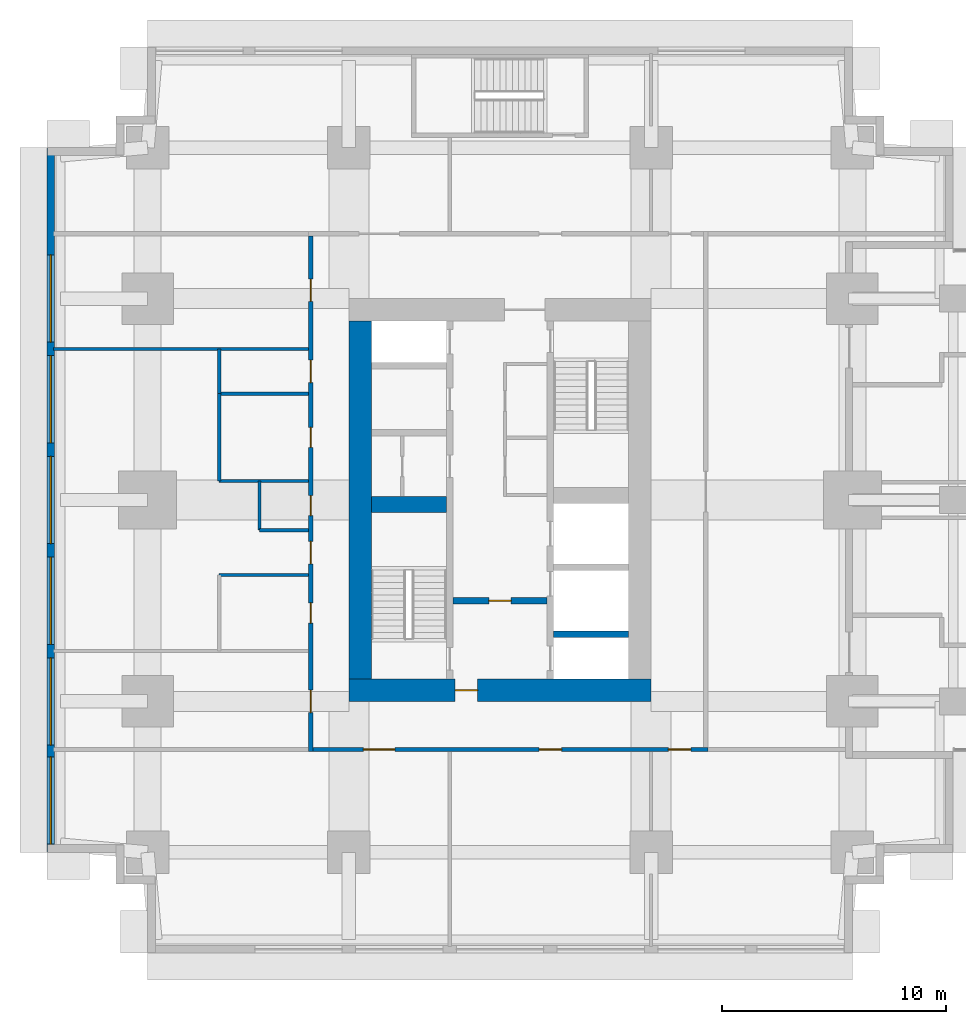
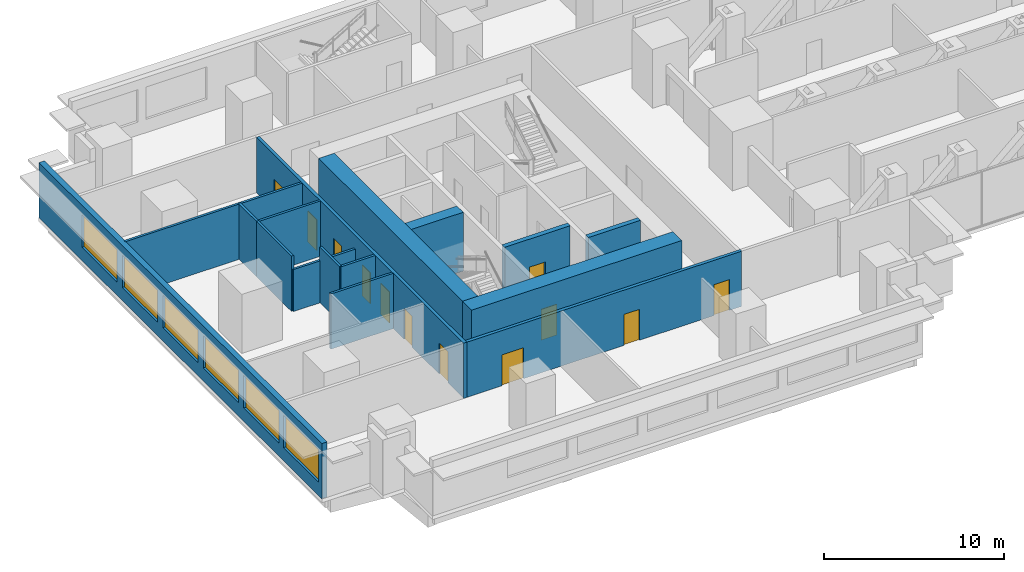
# One storey, part 7 of 16: 16 walls, 12 doors, 6 windows, 18 openings.
"""IFC4 building model written with IfcOpenShell, lengths in metres."""

from ifc_helpers import new_model, si_unit, direction, frame, frame_2d, origin, place, context, subcontext, project, spatial, rectangle, extrude, material, layer, layer_set, type_object, element, fill, save


model = new_model("IFC4")

# Units and contexts
model_context = context("Model", 3, precision=1e-05, world=origin(), true_north=direction((0.0, 1.0)))
body_context = subcontext(model_context, "Body", "Model", "MODEL_VIEW")
ifc_project = project(units=[si_unit("LENGTHUNIT", "METRE"), si_unit("AREAUNIT", "SQUARE_METRE"), si_unit("VOLUMEUNIT", "CUBIC_METRE"), si_unit("PLANEANGLEUNIT", "RADIAN"), si_unit("MASSUNIT", "GRAM", prefix="KILO")], contexts=[model_context])

# Site, building, storey
site_placement = place(None, origin())
site = spatial("IfcSite", under=ifc_project, at=site_placement, CompositionType="ELEMENT")
building_placement = place(site_placement, origin())
building = spatial("IfcBuilding", under=site, at=building_placement, Name="Namib Vertical Campus", CompositionType="ELEMENT")
storey_placement = place(building_placement, frame((0.0, 0.0, 117.0)))
storey = spatial("IfcBuildingStorey", under=building, at=storey_placement, Name="L27", CompositionType="ELEMENT", Elevation=117.0)

# Wall, opening, door
ifc_material_1 = material(Name="Concrete C60/75", Category="concrete")
ifc_layer_1 = layer(ifc_material_1, 0.300048828125)
ifc_layer_set_1 = layer_set([ifc_layer_1], Name="Concrete C60/75")
wall_type_1 = type_object("IfcWallType", Name="Core inner wall 300", PredefinedType="SHEAR", material=ifc_layer_set_1)
wall_1_placement = place(storey_placement, frame((18.14990234375, 15.75, 0.0), z_axis=(0.0, 0.0, 1.0), x_axis=(1.0, 0.0, 0.0)))
wall_1 = element("IfcWall", 1, at=wall_1_placement, inside=storey, type_object=wall_type_1, Name="Core inner wall A L27 W4", PredefinedType="SHEAR", context=body_context, shape_type="SweptSolid", body=[
    extrude(rectangle(XDim=4.2001953125, YDim=0.300048828125, at=frame_2d((2.10009765625, 0.0))), origin(), (0.0, 0.0, 1.0), 4.0),
])
opening_1_placement = place(wall_1_placement, frame((1.60009765625, 0.0, 0.0)))
opening_1 = element("IfcOpeningElement", 2, at=opening_1_placement, cuts=wall_1, Name="Opening FD5", PredefinedType="OPENING", context=body_context, shape_type="SweptSolid", body=[
    extrude(rectangle(XDim=1.0, YDim=2.10009765625, at=frame_2d((0.5, 1.050048828125))), frame((0.0, 0.159912109375, 0.0), z_axis=(0.0, -1.0, 0.0), x_axis=(1.0, 0.0, 0.0)), (0.0, 0.0, 1.0), 0.320068359375),
])
ifc_material_2 = material(Name="Steel fire door", Category="steel")
door_type_1 = type_object("IfcDoorType", Name="Fire door 1000x2100 120 min", OperationType="SINGLE_SWING_RIGHT", PredefinedType="DOOR", material=ifc_material_2)
door_1_placement = place(opening_1_placement, frame((1.0, 0.0, 0.0), z_axis=(0.0, 0.0, 1.0), x_axis=(-1.0, 0.0, 0.0)))
door_1 = element("IfcDoor", 3, at=door_1_placement, inside=storey, type_object=door_type_1, Name="Lobby door FD5 A L27", OperationType="SINGLE_SWING_RIGHT", OverallHeight=2.10009765625, OverallWidth=1.0, PredefinedType="DOOR", context=body_context, shape_type="SweptSolid", body=[
    extrude(rectangle(XDim=1.0, YDim=2.10009765625, at=frame_2d((0.5, 1.050048828125))), frame((0.0, 0.02490234375, 0.0), z_axis=(0.0, -1.0, 0.0), x_axis=(1.0, 0.0, 0.0)), (0.0, 0.0, 1.0), 0.050048828125),
])
fill(opening_1, door_1)

# Walls
wall_2_placement = place(storey_placement, frame((22.64990234375, 14.25, 0.0), z_axis=(0.0, 0.0, 1.0), x_axis=(1.0, 0.0, 0.0)))
element("IfcWall", 4, at=wall_2_placement, inside=storey, type_object=wall_type_1, Name="Core inner wall A L27 W5", PredefinedType="SHEAR", context=body_context, shape_type="SweptSolid", body=[
    extrude(rectangle(XDim=3.35009765625, YDim=0.300048828125, at=frame_2d((1.675048828125, 0.0))), origin(), (0.0, 0.0, 1.0), 4.0),
])
ifc_material_3 = material(Name="Concrete C60/75", Category="concrete")
ifc_layer_2 = layer(ifc_material_3, 0.699951171875)
ifc_layer_set_2 = layer_set([ifc_layer_2], Name="Concrete C60/75")
wall_type_2 = type_object("IfcWallType", Name="Core shear wall 700", PredefinedType="SHEAR", material=ifc_layer_set_2)
wall_3_placement = place(storey_placement, frame((14.5, 20.050048828125, 0.0), z_axis=(0.0, 0.0, 1.0), x_axis=(1.0, 0.0, 0.0)))
element("IfcWall", 5, at=wall_3_placement, inside=storey, type_object=wall_type_2, Name="Core shear wall A L27 W3", PredefinedType="SHEAR", context=body_context, shape_type="SweptSolid", body=[
    extrude(rectangle(XDim=3.35009765625, YDim=0.699951171875, at=frame_2d((1.675048828125, 0.0))), origin(), (0.0, 0.0, 1.0), 4.0),
])

# Wall, opening, door
ifc_material_4 = material(Name="Concrete C60/75", Category="concrete")
ifc_layer_3 = layer(ifc_material_4, 1.0)
ifc_layer_set_3 = layer_set([ifc_layer_3], Name="Concrete C60/75")
wall_type_3 = type_object("IfcWallType", Name="Core wall 1000", PredefinedType="SHEAR", material=ifc_layer_set_3)
wall_4_placement = place(storey_placement, frame((13.5, 11.75, 0.0), z_axis=(0.0, 0.0, 1.0), x_axis=(1.0, 0.0, 0.0)))
wall_4 = element("IfcWall", 6, at=wall_4_placement, inside=storey, type_object=wall_type_3, Name="Core wall A L27 1", PredefinedType="SHEAR", context=body_context, shape_type="SweptSolid", body=[
    extrude(rectangle(XDim=13.5, YDim=1.0, at=frame_2d((6.75, 0.0))), origin(), (0.0, 0.0, 1.0), 4.0),
])
opening_2_placement = place(wall_4_placement, frame((4.75, 0.0, 0.0)))
opening_2 = element("IfcOpeningElement", 7, at=opening_2_placement, cuts=wall_4, Name="Opening FD5", PredefinedType="OPENING", context=body_context, shape_type="SweptSolid", body=[
    extrude(rectangle(XDim=1.0, YDim=2.10009765625, at=frame_2d((0.5, 1.050048828125))), frame((0.0, 0.510009765625, 0.0), z_axis=(0.0, -1.0, 0.0), x_axis=(1.0, 0.0, 0.0)), (0.0, 0.0, 1.0), 1.02001953125),
])
door_2_placement = place(opening_2_placement, origin())
door_2 = element("IfcDoor", 8, at=door_2_placement, inside=storey, type_object=door_type_1, Name="Firefighting lobby door FD5 A L27", OperationType="SINGLE_SWING_LEFT", OverallHeight=2.10009765625, OverallWidth=1.0, PredefinedType="DOOR", context=body_context, shape_type="SweptSolid", body=[
    extrude(rectangle(XDim=1.0, YDim=2.10009765625, at=frame_2d((0.5, 1.050048828125))), frame((0.0, 0.02490234375, 0.0), z_axis=(0.0, -1.0, 0.0), x_axis=(1.0, 0.0, 0.0)), (0.0, 0.0, 1.0), 0.050048828125),
])
fill(opening_2, door_2)

# Wall
wall_5_placement = place(storey_placement, frame((14.0, 28.25, 0.0), z_axis=(0.0, 0.0, 1.0), x_axis=(0.0, -1.0, 0.0)))
element("IfcWall", 9, at=wall_5_placement, inside=storey, type_object=wall_type_3, Name="Core wall A L27 4", PredefinedType="SHEAR", context=body_context, shape_type="SweptSolid", body=[
    extrude(rectangle(XDim=16.0, YDim=1.0, at=frame_2d((8.0, 0.0))), origin(), (0.0, 0.0, 1.0), 4.0),
])

# Wall, openings, doors
ifc_material_5 = material(Name="Concrete masonry", Category="masonry")
ifc_layer_4 = layer(ifc_material_5, 0.199951171875)
ifc_layer_set_4 = layer_set([ifc_layer_4], Name="Corridor wall 200")
wall_type_4 = type_object("IfcWallType", Name="Corridor wall 200", PredefinedType="SOLIDWALL", material=ifc_layer_set_4)
wall_6_placement = place(storey_placement, frame((11.89990234375, 9.10009765625, 0.0), z_axis=(0.0, 0.0, 1.0), x_axis=(1.0, 0.0, 0.0)))
wall_6 = element("IfcWall", 10, at=wall_6_placement, inside=storey, type_object=wall_type_4, Name="Corridor wall A L27 CS", PredefinedType="SOLIDWALL", context=body_context, shape_type="SweptSolid", body=[
    extrude(rectangle(XDim=17.650146484375, YDim=0.199951171875, at=frame_2d((8.8251953125, 0.0))), origin(), (0.0, 0.0, 1.0), 3.75),
])
opening_3_placement = place(wall_6_placement, frame((2.25, 0.0, 0.0)))
opening_3 = element("IfcOpeningElement", 11, at=opening_3_placement, cuts=wall_6, Name="Opening LB1", PredefinedType="OPENING", context=body_context, shape_type="SweptSolid", body=[
    extrude(rectangle(XDim=1.39990234375, YDim=2.10009765625, at=frame_2d((0.699951171875, 1.050048828125))), frame((0.0, 0.10986328125, 0.0), z_axis=(0.0, -1.0, 0.0), x_axis=(1.0, 0.0, 0.0)), (0.0, 0.0, 1.0), 0.219970703125),
])
opening_4_placement = place(wall_6_placement, frame((10.10009765625, 0.0, 0.0)))
opening_4 = element("IfcOpeningElement", 12, at=opening_4_placement, cuts=wall_6, Name="Opening CD1", PredefinedType="OPENING", context=body_context, shape_type="SweptSolid", body=[
    extrude(rectangle(XDim=1.0, YDim=2.10009765625, at=frame_2d((0.5, 1.050048828125))), frame((0.0, 0.10986328125, 0.0), z_axis=(0.0, -1.0, 0.0), x_axis=(1.0, 0.0, 0.0)), (0.0, 0.0, 1.0), 0.219970703125),
])
opening_5_placement = place(wall_6_placement, frame((15.875, 0.0, 0.0)))
opening_5 = element("IfcOpeningElement", 13, at=opening_5_placement, cuts=wall_6, Name="Opening CD1", PredefinedType="OPENING", context=body_context, shape_type="SweptSolid", body=[
    extrude(rectangle(XDim=1.0, YDim=2.10009765625, at=frame_2d((0.5, 1.050048828125))), frame((0.0, 0.10986328125, 0.0), z_axis=(0.0, -1.0, 0.0), x_axis=(1.0, 0.0, 0.0)), (0.0, 0.0, 1.0), 0.219970703125),
])
ifc_material_6 = material(Name="Timber fire door leaf", Category="wood")
door_type_2 = type_object("IfcDoorType", Name="Corridor door 1000x2100 20 min", OperationType="SINGLE_SWING_LEFT", PredefinedType="DOOR", material=ifc_material_6)
door_3_placement = place(opening_4_placement, frame((1.0, 0.0, 0.0), z_axis=(0.0, 0.0, 1.0), x_axis=(-1.0, 0.0, 0.0)))
door_3 = element("IfcDoor", 14, at=door_3_placement, inside=storey, type_object=door_type_2, Name="Door CD1 A27-02", OperationType="SINGLE_SWING_RIGHT", OverallHeight=2.10009765625, OverallWidth=1.0, PredefinedType="DOOR", context=body_context, shape_type="SweptSolid", body=[
    extrude(rectangle(XDim=1.0, YDim=2.10009765625, at=frame_2d((0.5, 1.050048828125))), frame((0.0, 0.02490234375, 0.0), z_axis=(0.0, -1.0, 0.0), x_axis=(1.0, 0.0, 0.0)), (0.0, 0.0, 1.0), 0.050048828125),
])
fill(opening_4, door_3)
door_4_placement = place(opening_5_placement, frame((1.0, 0.0, 0.0), z_axis=(0.0, 0.0, 1.0), x_axis=(-1.0, 0.0, 0.0)))
door_4 = element("IfcDoor", 15, at=door_4_placement, inside=storey, type_object=door_type_2, Name="Door CD1 A27-03", OperationType="SINGLE_SWING_RIGHT", OverallHeight=2.10009765625, OverallWidth=1.0, PredefinedType="DOOR", context=body_context, shape_type="SweptSolid", body=[
    extrude(rectangle(XDim=1.0, YDim=2.10009765625, at=frame_2d((0.5, 1.050048828125))), frame((0.0, 0.02490234375, 0.0), z_axis=(0.0, -1.0, 0.0), x_axis=(1.0, 0.0, 0.0)), (0.0, 0.0, 1.0), 0.050048828125),
])
fill(opening_5, door_4)
ifc_material_7 = material(Name="Timber fire door leaf", Category="wood")
door_type_3 = type_object("IfcDoorType", Name="Laboratory door 1400x2100 leaf and a half", OperationType="DOUBLE_DOOR_SINGLE_SWING", PredefinedType="DOOR", material=ifc_material_7)
door_5_placement = place(opening_3_placement, frame((1.39990234375, 0.0, 0.0), z_axis=(0.0, 0.0, 1.0), x_axis=(-1.0, 0.0, 0.0)))
door_5 = element("IfcDoor", 16, at=door_5_placement, inside=storey, type_object=door_type_3, Name="Door LB1 A27-01", OperationType="DOUBLE_DOOR_SINGLE_SWING", OverallHeight=2.10009765625, OverallWidth=1.39990234375, PredefinedType="DOOR", context=body_context, shape_type="SweptSolid", body=[
    extrude(rectangle(XDim=1.39990234375, YDim=2.10009765625, at=frame_2d((0.699951171875, 1.050048828125))), frame((0.0, 0.02490234375, 0.0), z_axis=(0.0, -1.0, 0.0), x_axis=(1.0, 0.0, 0.0)), (0.0, 0.0, 1.0), 0.050048828125),
])
fill(opening_3, door_5)

wall_7_placement = place(storey_placement, frame((11.800048828125, 32.050048828125, 0.0), z_axis=(0.0, 0.0, 1.0), x_axis=(0.0, -1.0, 0.0)))
wall_7 = element("IfcWall", 17, at=wall_7_placement, inside=storey, type_object=wall_type_4, Name="Corridor wall A L27 CW", PredefinedType="SOLIDWALL", context=body_context, shape_type="SweptSolid", body=[
    extrude(rectangle(XDim=23.050048828125, YDim=0.199951171875, at=frame_2d((11.52490234375, 0.0))), origin(), (0.0, 0.0, 1.0), 3.75),
])
opening_6_placement = place(wall_7_placement, frame((20.300048828125, 0.0, 0.0)))
opening_6 = element("IfcOpeningElement", 18, at=opening_6_placement, cuts=wall_7, Name="Opening CD1", PredefinedType="OPENING", context=body_context, shape_type="SweptSolid", body=[
    extrude(rectangle(XDim=1.0, YDim=2.10009765625, at=frame_2d((0.5, 1.050048828125))), frame((0.0, 0.10986328125, 0.0), z_axis=(0.0, -1.0, 0.0), x_axis=(1.0, 0.0, 0.0)), (0.0, 0.0, 1.0), 0.219970703125),
])
opening_7_placement = place(wall_7_placement, frame((16.39990234375, 0.0, 0.0)))
opening_7 = element("IfcOpeningElement", 19, at=opening_7_placement, cuts=wall_7, Name="Opening CD3", PredefinedType="OPENING", context=body_context, shape_type="SweptSolid", body=[
    extrude(rectangle(XDim=0.89990234375, YDim=2.10009765625, at=frame_2d((0.449951171875, 1.050048828125))), frame((0.0, 0.10986328125, 0.0), z_axis=(0.0, -1.0, 0.0), x_axis=(1.0, 0.0, 0.0)), (0.0, 0.0, 1.0), 0.219970703125),
])
opening_8_placement = place(wall_7_placement, frame((11.60009765625, 0.0, 0.0)))
opening_8 = element("IfcOpeningElement", 20, at=opening_8_placement, cuts=wall_7, Name="Opening CD3", PredefinedType="OPENING", context=body_context, shape_type="SweptSolid", body=[
    extrude(rectangle(XDim=0.89990234375, YDim=2.10009765625, at=frame_2d((0.449951171875, 1.050048828125))), frame((0.0, 0.10986328125, 0.0), z_axis=(0.0, -1.0, 0.0), x_axis=(1.0, 0.0, 0.0)), (0.0, 0.0, 1.0), 0.219970703125),
])
opening_9_placement = place(wall_7_placement, frame((8.550048828125, 0.0, 0.0)))
opening_9 = element("IfcOpeningElement", 21, at=opening_9_placement, cuts=wall_7, Name="Opening CD3", PredefinedType="OPENING", context=body_context, shape_type="SweptSolid", body=[
    extrude(rectangle(XDim=0.89990234375, YDim=2.10009765625, at=frame_2d((0.449951171875, 1.050048828125))), frame((0.0, 0.10986328125, 0.0), z_axis=(0.0, -1.0, 0.0), x_axis=(1.0, 0.0, 0.0)), (0.0, 0.0, 1.0), 0.219970703125),
])
opening_10_placement = place(wall_7_placement, frame((5.550048828125, 0.0, 0.0)))
opening_10 = element("IfcOpeningElement", 22, at=opening_10_placement, cuts=wall_7, Name="Opening CD1", PredefinedType="OPENING", context=body_context, shape_type="SweptSolid", body=[
    extrude(rectangle(XDim=1.0, YDim=2.10009765625, at=frame_2d((0.5, 1.050048828125))), frame((0.0, 0.10986328125, 0.0), z_axis=(0.0, -1.0, 0.0), x_axis=(1.0, 0.0, 0.0)), (0.0, 0.0, 1.0), 0.219970703125),
])
opening_11_placement = place(wall_7_placement, frame((13.64990234375, 0.0, 0.0)))
opening_11 = element("IfcOpeningElement", 23, at=opening_11_placement, cuts=wall_7, Name="Opening CD1", PredefinedType="OPENING", context=body_context, shape_type="SweptSolid", body=[
    extrude(rectangle(XDim=1.0, YDim=2.10009765625, at=frame_2d((0.5, 1.050048828125))), frame((0.0, 0.10986328125, 0.0), z_axis=(0.0, -1.0, 0.0), x_axis=(1.0, 0.0, 0.0)), (0.0, 0.0, 1.0), 0.219970703125),
])
opening_12_placement = place(wall_7_placement, frame((1.925048828125, 0.0, 0.0)))
opening_12 = element("IfcOpeningElement", 24, at=opening_12_placement, cuts=wall_7, Name="Opening CD1", PredefinedType="OPENING", context=body_context, shape_type="SweptSolid", body=[
    extrude(rectangle(XDim=1.0, YDim=2.10009765625, at=frame_2d((0.5, 1.050048828125))), frame((0.0, 0.10986328125, 0.0), z_axis=(0.0, -1.0, 0.0), x_axis=(1.0, 0.0, 0.0)), (0.0, 0.0, 1.0), 0.219970703125),
])
door_6_placement = place(opening_6_placement, frame((1.0, 0.0, 0.0), z_axis=(0.0, 0.0, 1.0), x_axis=(-1.0, 0.0, 0.0)))
door_6 = element("IfcDoor", 25, at=door_6_placement, inside=storey, type_object=door_type_2, Name="Door CD1 A27-08", OperationType="SINGLE_SWING_RIGHT", OverallHeight=2.10009765625, OverallWidth=1.0, PredefinedType="DOOR", context=body_context, shape_type="SweptSolid", body=[
    extrude(rectangle(XDim=1.0, YDim=2.10009765625, at=frame_2d((0.5, 1.050048828125))), frame((0.0, 0.02490234375, 0.0), z_axis=(0.0, -1.0, 0.0), x_axis=(1.0, 0.0, 0.0)), (0.0, 0.0, 1.0), 0.050048828125),
])
fill(opening_6, door_6)
door_7_placement = place(opening_10_placement, frame((1.0, 0.0, 0.0), z_axis=(0.0, 0.0, 1.0), x_axis=(-1.0, 0.0, 0.0)))
door_7 = element("IfcDoor", 26, at=door_7_placement, inside=storey, type_object=door_type_2, Name="Door CD1 A27-12", OperationType="SINGLE_SWING_RIGHT", OverallHeight=2.10009765625, OverallWidth=1.0, PredefinedType="DOOR", context=body_context, shape_type="SweptSolid", body=[
    extrude(rectangle(XDim=1.0, YDim=2.10009765625, at=frame_2d((0.5, 1.050048828125))), frame((0.0, 0.02490234375, 0.0), z_axis=(0.0, -1.0, 0.0), x_axis=(1.0, 0.0, 0.0)), (0.0, 0.0, 1.0), 0.050048828125),
])
fill(opening_10, door_7)
door_8_placement = place(opening_11_placement, frame((1.0, 0.0, 0.0), z_axis=(0.0, 0.0, 1.0), x_axis=(-1.0, 0.0, 0.0)))
door_8 = element("IfcDoor", 27, at=door_8_placement, inside=storey, type_object=door_type_2, Name="Door CD1 A27-13", OperationType="SINGLE_SWING_RIGHT", OverallHeight=2.10009765625, OverallWidth=1.0, PredefinedType="DOOR", context=body_context, shape_type="SweptSolid", body=[
    extrude(rectangle(XDim=1.0, YDim=2.10009765625, at=frame_2d((0.5, 1.050048828125))), frame((0.0, 0.02490234375, 0.0), z_axis=(0.0, -1.0, 0.0), x_axis=(1.0, 0.0, 0.0)), (0.0, 0.0, 1.0), 0.050048828125),
])
fill(opening_11, door_8)
door_9_placement = place(opening_12_placement, frame((1.0, 0.0, 0.0), z_axis=(0.0, 0.0, 1.0), x_axis=(-1.0, 0.0, 0.0)))
door_9 = element("IfcDoor", 28, at=door_9_placement, inside=storey, type_object=door_type_2, Name="Door CD1 A27-14", OperationType="SINGLE_SWING_RIGHT", OverallHeight=2.10009765625, OverallWidth=1.0, PredefinedType="DOOR", context=body_context, shape_type="SweptSolid", body=[
    extrude(rectangle(XDim=1.0, YDim=2.10009765625, at=frame_2d((0.5, 1.050048828125))), frame((0.0, 0.02490234375, 0.0), z_axis=(0.0, -1.0, 0.0), x_axis=(1.0, 0.0, 0.0)), (0.0, 0.0, 1.0), 0.050048828125),
])
fill(opening_12, door_9)
ifc_material_8 = material(Name="Timber fire door leaf", Category="wood")
door_type_4 = type_object("IfcDoorType", Name="Corridor toilet door 900x2100 20 min", OperationType="SINGLE_SWING_LEFT", PredefinedType="DOOR", material=ifc_material_8)
door_10_placement = place(opening_7_placement, frame((0.89990234375, 0.0, 0.0), z_axis=(0.0, 0.0, 1.0), x_axis=(-1.0, 0.0, 0.0)))
door_10 = element("IfcDoor", 29, at=door_10_placement, inside=storey, type_object=door_type_4, Name="Door CD3 A27-09", OperationType="SINGLE_SWING_RIGHT", OverallHeight=2.10009765625, OverallWidth=0.89990234375, PredefinedType="DOOR", context=body_context, shape_type="SweptSolid", body=[
    extrude(rectangle(XDim=0.89990234375, YDim=2.10009765625, at=frame_2d((0.449951171875, 1.050048828125))), frame((0.0, 0.02490234375, 0.0), z_axis=(0.0, -1.0, 0.0), x_axis=(1.0, 0.0, 0.0)), (0.0, 0.0, 1.0), 0.050048828125),
])
fill(opening_7, door_10)
door_11_placement = place(opening_8_placement, frame((0.89990234375, 0.0, 0.0), z_axis=(0.0, 0.0, 1.0), x_axis=(-1.0, 0.0, 0.0)))
door_11 = element("IfcDoor", 30, at=door_11_placement, inside=storey, type_object=door_type_4, Name="Door CD3 A27-10", OperationType="SINGLE_SWING_RIGHT", OverallHeight=2.10009765625, OverallWidth=0.89990234375, PredefinedType="DOOR", context=body_context, shape_type="SweptSolid", body=[
    extrude(rectangle(XDim=0.89990234375, YDim=2.10009765625, at=frame_2d((0.449951171875, 1.050048828125))), frame((0.0, 0.02490234375, 0.0), z_axis=(0.0, -1.0, 0.0), x_axis=(1.0, 0.0, 0.0)), (0.0, 0.0, 1.0), 0.050048828125),
])
fill(opening_8, door_11)
door_12_placement = place(opening_9_placement, frame((0.89990234375, 0.0, 0.0), z_axis=(0.0, 0.0, 1.0), x_axis=(-1.0, 0.0, 0.0)))
door_12 = element("IfcDoor", 31, at=door_12_placement, inside=storey, type_object=door_type_4, Name="Door CD3 A27-11", OperationType="SINGLE_SWING_RIGHT", OverallHeight=2.10009765625, OverallWidth=0.89990234375, PredefinedType="DOOR", context=body_context, shape_type="SweptSolid", body=[
    extrude(rectangle(XDim=0.89990234375, YDim=2.10009765625, at=frame_2d((0.449951171875, 1.050048828125))), frame((0.0, 0.02490234375, 0.0), z_axis=(0.0, -1.0, 0.0), x_axis=(1.0, 0.0, 0.0)), (0.0, 0.0, 1.0), 0.050048828125),
])
fill(opening_9, door_12)

# Wall, openings, windows
ifc_material_9 = material(Name="Concrete C40/50", Category="concrete")
ifc_layer_5 = layer(ifc_material_9, 0.35009765625)
ifc_layer_set_5 = layer_set([ifc_layer_5], Name="Concrete C40/50")
wall_type_5 = type_object("IfcWallType", Name="External wall 350 bush-hammered concrete", PredefinedType="STANDARD", material=ifc_layer_set_5)
wall_8_placement = place(storey_placement, frame((0.175048828125, 35.97998046875, 0.0), z_axis=(0.0, 0.0, 1.0), x_axis=(0.0, -1.0, 0.0)))
wall_8 = element("IfcWall", 32, at=wall_8_placement, inside=storey, type_object=wall_type_5, Name="External wall L27 F21", PredefinedType="STANDARD", context=body_context, shape_type="SweptSolid", body=[
    extrude(rectangle(XDim=31.4599609375, YDim=0.35009765625, at=frame_2d((15.72998046875, 0.0))), origin(), (0.0, 0.0, 1.0), 3.75),
])
opening_13_placement = place(wall_8_placement, frame((27.2099609375, 0.0, 0.89990234375)))
opening_13 = element("IfcOpeningElement", 33, at=opening_13_placement, cuts=wall_8, Name="Opening W1", PredefinedType="OPENING", context=body_context, shape_type="SweptSolid", body=[
    extrude(rectangle(XDim=3.89990234375, YDim=2.199951171875, at=frame_2d((1.949951171875, 1.10009765625))), frame((0.0, 0.18505859375, 0.0), z_axis=(0.0, -1.0, 0.0), x_axis=(1.0, 0.0, 0.0)), (0.0, 0.0, 1.0), 0.3701171875),
])
opening_14_placement = place(wall_8_placement, frame((22.780029296875, 0.0, 0.89990234375)))
opening_14 = element("IfcOpeningElement", 34, at=opening_14_placement, cuts=wall_8, Name="Opening W1", PredefinedType="OPENING", context=body_context, shape_type="SweptSolid", body=[
    extrude(rectangle(XDim=3.89990234375, YDim=2.199951171875, at=frame_2d((1.949951171875, 1.10009765625))), frame((0.0, 0.18505859375, 0.0), z_axis=(0.0, -1.0, 0.0), x_axis=(1.0, 0.0, 0.0)), (0.0, 0.0, 1.0), 0.3701171875),
])
opening_15_placement = place(wall_8_placement, frame((18.280029296875, 0.0, 0.89990234375)))
opening_15 = element("IfcOpeningElement", 35, at=opening_15_placement, cuts=wall_8, Name="Opening W1", PredefinedType="OPENING", context=body_context, shape_type="SweptSolid", body=[
    extrude(rectangle(XDim=3.89990234375, YDim=2.199951171875, at=frame_2d((1.949951171875, 1.10009765625))), frame((0.0, 0.18505859375, 0.0), z_axis=(0.0, -1.0, 0.0), x_axis=(1.0, 0.0, 0.0)), (0.0, 0.0, 1.0), 0.3701171875),
])
opening_16_placement = place(wall_8_placement, frame((13.780029296875, 0.0, 0.89990234375)))
opening_16 = element("IfcOpeningElement", 36, at=opening_16_placement, cuts=wall_8, Name="Opening W1", PredefinedType="OPENING", context=body_context, shape_type="SweptSolid", body=[
    extrude(rectangle(XDim=3.89990234375, YDim=2.199951171875, at=frame_2d((1.949951171875, 1.10009765625))), frame((0.0, 0.18505859375, 0.0), z_axis=(0.0, -1.0, 0.0), x_axis=(1.0, 0.0, 0.0)), (0.0, 0.0, 1.0), 0.3701171875),
])
opening_17_placement = place(wall_8_placement, frame((9.280029296875, 0.0, 0.89990234375)))
opening_17 = element("IfcOpeningElement", 37, at=opening_17_placement, cuts=wall_8, Name="Opening W1", PredefinedType="OPENING", context=body_context, shape_type="SweptSolid", body=[
    extrude(rectangle(XDim=3.89990234375, YDim=2.199951171875, at=frame_2d((1.949951171875, 1.10009765625))), frame((0.0, 0.18505859375, 0.0), z_axis=(0.0, -1.0, 0.0), x_axis=(1.0, 0.0, 0.0)), (0.0, 0.0, 1.0), 0.3701171875),
])
opening_18_placement = place(wall_8_placement, frame((4.780029296875, 0.0, 0.89990234375)))
opening_18 = element("IfcOpeningElement", 38, at=opening_18_placement, cuts=wall_8, Name="Opening W1", PredefinedType="OPENING", context=body_context, shape_type="SweptSolid", body=[
    extrude(rectangle(XDim=3.89990234375, YDim=2.199951171875, at=frame_2d((1.949951171875, 1.10009765625))), frame((0.0, 0.18505859375, 0.0), z_axis=(0.0, -1.0, 0.0), x_axis=(1.0, 0.0, 0.0)), (0.0, 0.0, 1.0), 0.3701171875),
])
ifc_material_10 = material(Name="Dark tinted glass in black aluminium frame", Category="aluminium")
window_type = type_object("IfcWindowType", Name="Ribbon window 3900x2200", PartitioningType="SINGLE_PANEL", PredefinedType="WINDOW", material=ifc_material_10)
window_1_placement = place(opening_13_placement, origin())
window_1 = element("IfcWindow", 39, at=window_1_placement, inside=storey, type_object=window_type, Name="Window W1 L27 F21-1", OverallHeight=2.199951171875, OverallWidth=3.89990234375, PartitioningType="SINGLE_PANEL", PredefinedType="WINDOW", context=body_context, shape_type="SweptSolid", body=[
    extrude(rectangle(XDim=3.89990234375, YDim=2.199951171875, at=frame_2d((1.949951171875, 1.10009765625))), frame((0.0, 0.030029296875, 0.0), z_axis=(0.0, -1.0, 0.0), x_axis=(1.0, 0.0, 0.0)), (0.0, 0.0, 1.0), 0.06005859375),
])
fill(opening_13, window_1)
window_2_placement = place(opening_14_placement, origin())
window_2 = element("IfcWindow", 40, at=window_2_placement, inside=storey, type_object=window_type, Name="Window W1 L27 F21-2", OverallHeight=2.199951171875, OverallWidth=3.89990234375, PartitioningType="SINGLE_PANEL", PredefinedType="WINDOW", context=body_context, shape_type="SweptSolid", body=[
    extrude(rectangle(XDim=3.89990234375, YDim=2.199951171875, at=frame_2d((1.949951171875, 1.10009765625))), frame((0.0, 0.030029296875, 0.0), z_axis=(0.0, -1.0, 0.0), x_axis=(1.0, 0.0, 0.0)), (0.0, 0.0, 1.0), 0.06005859375),
])
fill(opening_14, window_2)
window_3_placement = place(opening_15_placement, origin())
window_3 = element("IfcWindow", 41, at=window_3_placement, inside=storey, type_object=window_type, Name="Window W1 L27 F21-3", OverallHeight=2.199951171875, OverallWidth=3.89990234375, PartitioningType="SINGLE_PANEL", PredefinedType="WINDOW", context=body_context, shape_type="SweptSolid", body=[
    extrude(rectangle(XDim=3.89990234375, YDim=2.199951171875, at=frame_2d((1.949951171875, 1.10009765625))), frame((0.0, 0.030029296875, 0.0), z_axis=(0.0, -1.0, 0.0), x_axis=(1.0, 0.0, 0.0)), (0.0, 0.0, 1.0), 0.06005859375),
])
fill(opening_15, window_3)
window_4_placement = place(opening_16_placement, origin())
window_4 = element("IfcWindow", 42, at=window_4_placement, inside=storey, type_object=window_type, Name="Window W1 L27 F21-4", OverallHeight=2.199951171875, OverallWidth=3.89990234375, PartitioningType="SINGLE_PANEL", PredefinedType="WINDOW", context=body_context, shape_type="SweptSolid", body=[
    extrude(rectangle(XDim=3.89990234375, YDim=2.199951171875, at=frame_2d((1.949951171875, 1.10009765625))), frame((0.0, 0.030029296875, 0.0), z_axis=(0.0, -1.0, 0.0), x_axis=(1.0, 0.0, 0.0)), (0.0, 0.0, 1.0), 0.06005859375),
])
fill(opening_16, window_4)
window_5_placement = place(opening_17_placement, origin())
window_5 = element("IfcWindow", 43, at=window_5_placement, inside=storey, type_object=window_type, Name="Window W1 L27 F21-5", OverallHeight=2.199951171875, OverallWidth=3.89990234375, PartitioningType="SINGLE_PANEL", PredefinedType="WINDOW", context=body_context, shape_type="SweptSolid", body=[
    extrude(rectangle(XDim=3.89990234375, YDim=2.199951171875, at=frame_2d((1.949951171875, 1.10009765625))), frame((0.0, 0.030029296875, 0.0), z_axis=(0.0, -1.0, 0.0), x_axis=(1.0, 0.0, 0.0)), (0.0, 0.0, 1.0), 0.06005859375),
])
fill(opening_17, window_5)
window_6_placement = place(opening_18_placement, origin())
window_6 = element("IfcWindow", 44, at=window_6_placement, inside=storey, type_object=window_type, Name="Window W1 L27 F21-6", OverallHeight=2.199951171875, OverallWidth=3.89990234375, PartitioningType="SINGLE_PANEL", PredefinedType="WINDOW", context=body_context, shape_type="SweptSolid", body=[
    extrude(rectangle(XDim=3.89990234375, YDim=2.199951171875, at=frame_2d((1.949951171875, 1.10009765625))), frame((0.0, 0.030029296875, 0.0), z_axis=(0.0, -1.0, 0.0), x_axis=(1.0, 0.0, 0.0)), (0.0, 0.0, 1.0), 0.06005859375),
])
fill(opening_18, window_6)

# Walls
ifc_material_11 = material(Name="Gypsum board on steel studs", Category="steel")
ifc_layer_6 = layer(ifc_material_11, 0.14990234375)
ifc_layer_set_6 = layer_set([ifc_layer_6], Name="Gypsum board on steel studs")
wall_type_6 = type_object("IfcWallType", Name="Partition 150", PredefinedType="PARTITIONING", material=ifc_layer_set_6)
wall_9_placement = place(storey_placement, frame((0.300048828125, 27.0, 0.0), z_axis=(0.0, 0.0, 1.0), x_axis=(1.0, 0.0, 0.0)))
element("IfcWall", 45, at=wall_9_placement, inside=storey, type_object=wall_type_6, Name="Partition A L27 PW2", PredefinedType="PARTITIONING", context=body_context, shape_type="SweptSolid", body=[
    extrude(rectangle(XDim=11.39990234375, YDim=0.14990234375, at=frame_2d((5.699951171875, 0.0))), origin(), (0.0, 0.0, 1.0), 3.75),
])
wall_10_placement = place(storey_placement, frame((11.699951171875, 16.89990234375, 0.0), z_axis=(0.0, 0.0, 1.0), x_axis=(-1.0, 0.0, 0.0)))
element("IfcWall", 46, at=wall_10_placement, inside=storey, type_object=wall_type_6, Name="Partition A L27 WR1", PredefinedType="PARTITIONING", context=body_context, shape_type="SweptSolid", body=[
    extrude(rectangle(XDim=4.0, YDim=0.14990234375, at=frame_2d((2.0, 0.0))), origin(), (0.0, 0.0, 1.0), 3.75),
])
wall_11_placement = place(storey_placement, frame((11.699951171875, 18.89990234375, 0.0), z_axis=(0.0, 0.0, 1.0), x_axis=(-1.0, 0.0, 0.0)))
element("IfcWall", 47, at=wall_11_placement, inside=storey, type_object=wall_type_6, Name="Partition A L27 WR2", PredefinedType="PARTITIONING", context=body_context, shape_type="SweptSolid", body=[
    extrude(rectangle(XDim=2.199951171875, YDim=0.14990234375, at=frame_2d((1.10009765625, 0.0))), origin(), (0.0, 0.0, 1.0), 3.75),
])
wall_12_placement = place(storey_placement, frame((11.699951171875, 21.10009765625, 0.0), z_axis=(0.0, 0.0, 1.0), x_axis=(-1.0, 0.0, 0.0)))
element("IfcWall", 48, at=wall_12_placement, inside=storey, type_object=wall_type_6, Name="Partition A L27 WR3", PredefinedType="PARTITIONING", context=body_context, shape_type="SweptSolid", body=[
    extrude(rectangle(XDim=4.0, YDim=0.14990234375, at=frame_2d((2.0, 0.0))), origin(), (0.0, 0.0, 1.0), 2.85009765625),
])
wall_13_placement = place(storey_placement, frame((11.699951171875, 25.0, 0.0), z_axis=(0.0, 0.0, 1.0), x_axis=(-1.0, 0.0, 0.0)))
element("IfcWall", 49, at=wall_13_placement, inside=storey, type_object=wall_type_6, Name="Partition A L27 WR4", PredefinedType="PARTITIONING", context=body_context, shape_type="SweptSolid", body=[
    extrude(rectangle(XDim=4.0, YDim=0.14990234375, at=frame_2d((2.0, 0.0))), origin(), (0.0, 0.0, 1.0), 3.75),
])
wall_14_placement = place(storey_placement, frame((9.5, 18.89990234375, 0.0), z_axis=(0.0, 0.0, 1.0), x_axis=(0.0, 1.0, 0.0)))
element("IfcWall", 50, at=wall_14_placement, inside=storey, type_object=wall_type_6, Name="Partition A L27 WB2", PredefinedType="PARTITIONING", context=body_context, shape_type="SweptSolid", body=[
    extrude(rectangle(XDim=2.2001953125, YDim=0.14990234375, at=frame_2d((1.10009765625, 0.0))), origin(), (0.0, 0.0, 1.0), 3.75),
])
wall_15_placement = place(storey_placement, frame((7.699951171875, 21.10009765625, 0.0), z_axis=(0.0, 0.0, 1.0), x_axis=(0.0, 1.0, 0.0)))
element("IfcWall", 51, at=wall_15_placement, inside=storey, type_object=wall_type_6, Name="Partition A L27 WB3", PredefinedType="PARTITIONING", context=body_context, shape_type="SweptSolid", body=[
    extrude(rectangle(XDim=3.89990234375, YDim=0.14990234375, at=frame_2d((1.949951171875, 0.0))), origin(), (0.0, 0.0, 1.0), 3.75),
])
wall_16_placement = place(storey_placement, frame((7.699951171875, 25.0, 0.0), z_axis=(0.0, 0.0, 1.0), x_axis=(0.0, 1.0, 0.0)))
element("IfcWall", 52, at=wall_16_placement, inside=storey, type_object=wall_type_6, Name="Partition A L27 WB4", PredefinedType="PARTITIONING", context=body_context, shape_type="SweptSolid", body=[
    extrude(rectangle(XDim=2.0, YDim=0.14990234375, at=frame_2d((1.0, 0.0))), origin(), (0.0, 0.0, 1.0), 3.75),
])

save(model, "model.ifc")
